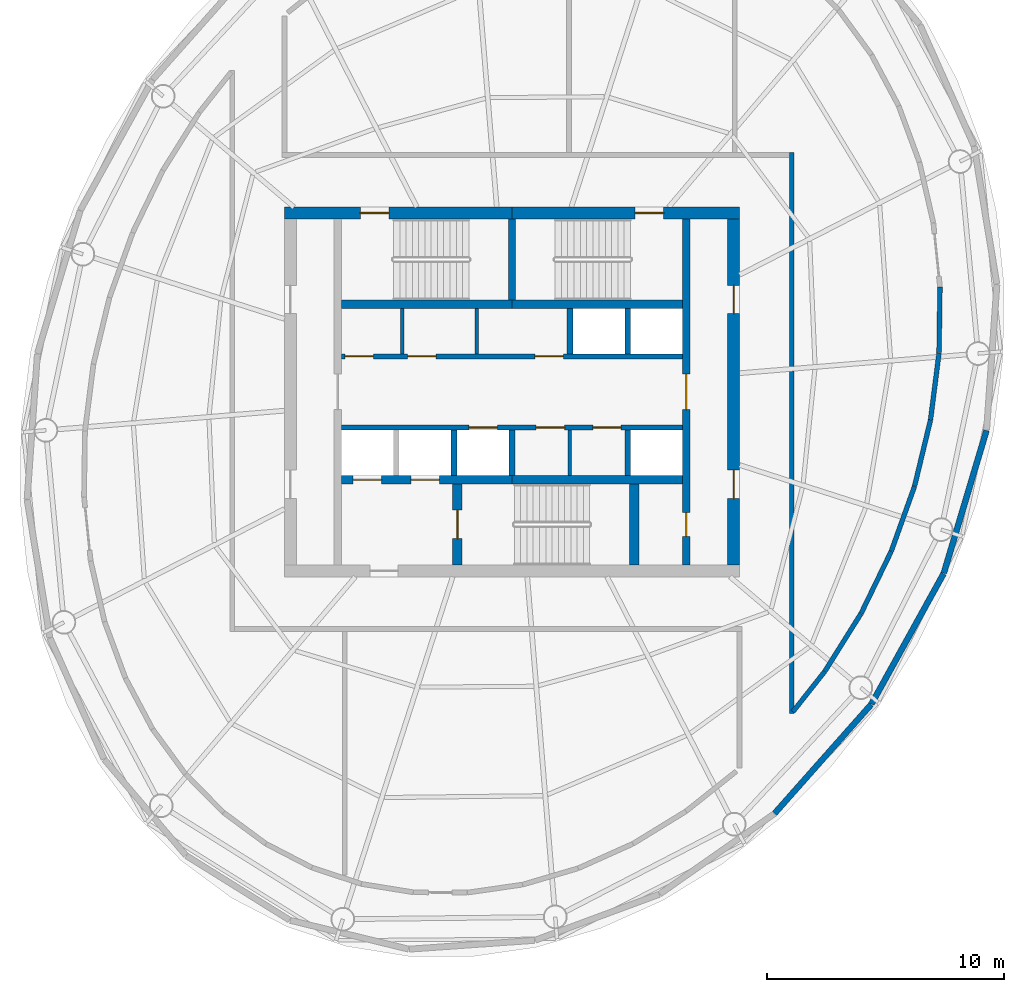
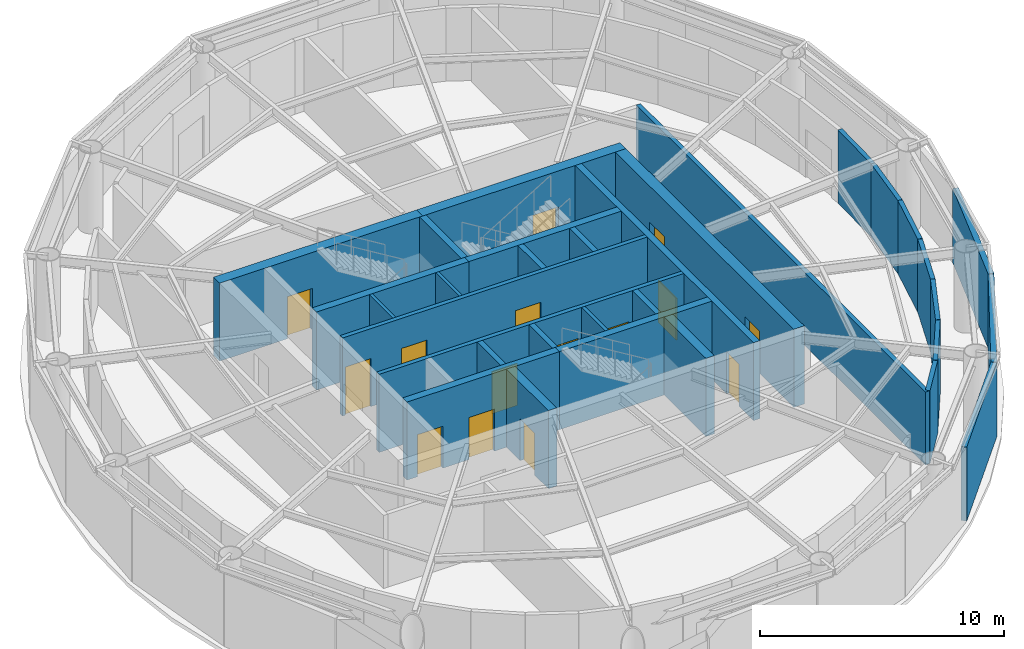
# One storey, part 4 of 6: 32 walls, 15 doors, 15 openings.
"""IFC4 building model written with IfcOpenShell, lengths in metres."""

from ifc_helpers import new_model, si_unit, direction, frame, frame_2d, origin, place, context, subcontext, project, spatial, rectangle, extrude, material, layer, layer_set, type_object, element, fill, save


model = new_model("IFC4")

# Units and contexts
model_context = context("Model", 3, precision=1e-05, world=origin(), true_north=direction((0.0, 1.0)))
body_context = subcontext(model_context, "Body", "Model", "MODEL_VIEW")
ifc_project = project(units=[si_unit("LENGTHUNIT", "METRE"), si_unit("AREAUNIT", "SQUARE_METRE"), si_unit("VOLUMEUNIT", "CUBIC_METRE"), si_unit("PLANEANGLEUNIT", "RADIAN"), si_unit("MASSUNIT", "GRAM", prefix="KILO")], contexts=[model_context])

# Site, building, storey
site_placement = place(None, origin())
site = spatial("IfcSite", under=ifc_project, at=site_placement, CompositionType="ELEMENT")
building_placement = place(site_placement, origin())
building = spatial("IfcBuilding", under=site, at=building_placement, Name="Vermilion Reach Broadcast Tower", CompositionType="ELEMENT")
storey_placement = place(building_placement, frame((0.0, 0.0, 304.5)))
storey = spatial("IfcBuildingStorey", under=building, at=storey_placement, Name="L76 CROWN", CompositionType="ELEMENT", Elevation=304.5)

# Wall, openings, doors
ifc_material_1 = material(Name="Concrete C50", Category="concrete")
ifc_layer_1 = layer(ifc_material_1, 0.300048828125)
ifc_layer_set_1 = layer_set([ifc_layer_1], Name="Core inner wall 300 mm Concrete C50")
wall_type_1 = type_object("IfcWallType", Name="Core inner wall 300 mm Concrete C50", PredefinedType="SHEAR", material=ifc_layer_set_1)
wall_1_placement = place(storey_placement, frame((1.35009765625, -7.300048828125, 0.0), z_axis=(0.0, 0.0, 1.0), x_axis=(0.0, 1.0, 0.0)))
wall_1 = element("IfcWall", 1, at=wall_1_placement, inside=storey, type_object=wall_type_1, Name="L76 CROWN core wall ewE", PredefinedType="SHEAR", context=body_context, shape_type="SweptSolid", body=[
    extrude(rectangle(XDim=14.60009765625, YDim=0.300048828125, at=frame_2d((7.300048828125, 0.0))), origin(), (0.0, 0.0, 1.0), 3.89990234375),
])
opening_1_placement = place(wall_1_placement, frame((1.2099609375, 0.0, 0.0)))
opening_1 = element("IfcOpeningElement", 2, at=opening_1_placement, cuts=wall_1, Name="Opening D05", PredefinedType="OPENING", context=body_context, shape_type="SweptSolid", body=[
    extrude(rectangle(XDim=1.0, YDim=2.10009765625, at=frame_2d((0.5, 1.050048828125))), frame((0.0, 0.159912109375, 0.0), z_axis=(0.0, -1.0, 0.0), x_axis=(1.0, 0.0, 0.0)), (0.0, 0.0, 1.0), 0.320068359375),
])
opening_2_placement = place(wall_1_placement, frame((6.550048828125, 0.0, 0.0)))
opening_2 = element("IfcOpeningElement", 3, at=opening_2_placement, cuts=wall_1, Name="Opening D04", PredefinedType="OPENING", context=body_context, shape_type="SweptSolid", body=[
    extrude(rectangle(XDim=1.5, YDim=2.10009765625, at=frame_2d((0.75, 1.050048828125))), frame((0.0, 0.159912109375, 0.0), z_axis=(0.0, -1.0, 0.0), x_axis=(1.0, 0.0, 0.0)), (0.0, 0.0, 1.0), 0.320068359375),
])
ifc_material_2 = material(Name="Painted steel fire door", Category="steel")
door_type_1 = type_object("IfcDoorType", Name="Lift lobby door 1500 x 2100", OperationType="DOUBLE_DOOR_SINGLE_SWING", PredefinedType="NOTDEFINED", material=ifc_material_2)
door_1_placement = place(opening_2_placement, origin())
door_1 = element("IfcDoor", 4, at=door_1_placement, inside=storey, type_object=door_type_1, Name="L76 CROWN band door BE", OperationType="DOUBLE_DOOR_SINGLE_SWING", OverallHeight=2.10009765625, OverallWidth=1.5, PredefinedType="NOTDEFINED", context=body_context, shape_type="SweptSolid", body=[
    extrude(rectangle(XDim=1.5, YDim=2.10009765625, at=frame_2d((0.75, 1.050048828125))), frame((0.0, 0.02490234375, 0.0), z_axis=(0.0, -1.0, 0.0), x_axis=(1.0, 0.0, 0.0)), (0.0, 0.0, 1.0), 0.050048828125),
])
fill(opening_2, door_1)
ifc_material_3 = material(Name="Timber door", Category="wood")
door_type_2 = type_object("IfcDoorType", Name="Room door 1000 x 2100", OperationType="NOTDEFINED", PredefinedType="NOTDEFINED", material=ifc_material_3)
door_2_placement = place(opening_1_placement, origin())
door_2 = element("IfcDoor", 5, at=door_2_placement, inside=storey, type_object=door_type_2, Name="L76 CROWN door SER", OperationType="SINGLE_SWING_LEFT", OverallHeight=2.10009765625, OverallWidth=1.0, PredefinedType="NOTDEFINED", context=body_context, shape_type="SweptSolid", body=[
    extrude(rectangle(XDim=1.0, YDim=2.10009765625, at=frame_2d((0.5, 1.050048828125))), frame((0.0, 0.02490234375, 0.0), z_axis=(0.0, -1.0, 0.0), x_axis=(1.0, 0.0, 0.0)), (0.0, 0.0, 1.0), 0.050048828125),
])
fill(opening_1, door_2)

# Walls
wall_2_placement = place(storey_placement, frame((-6.0, 3.8798828125, 0.0), z_axis=(0.0, 0.0, 1.0), x_axis=(0.0, 1.0, 0.0)))
element("IfcWall", 6, at=wall_2_placement, inside=storey, type_object=wall_type_1, Name="L76 CROWN core wall wc", PredefinedType="SHEAR", context=body_context, shape_type="SweptSolid", body=[
    extrude(rectangle(XDim=3.420166015625, YDim=0.300048828125, at=frame_2d((1.7099609375, 0.0))), origin(), (0.0, 0.0, 1.0), 3.89990234375),
])
ifc_material_4 = material(Name="Concrete C50", Category="concrete")
ifc_layer_2 = layer(ifc_material_4, 0.35009765625)
ifc_layer_set_2 = layer_set([ifc_layer_2], Name="Core inner wall 350 mm Concrete C50")
wall_type_2 = type_object("IfcWallType", Name="Core inner wall 350 mm Concrete C50", PredefinedType="SHEAR", material=ifc_layer_set_2)
for number, where, z_axis, x_axis, name in (
    (7, (-13.199951171875, 3.705078125, 0.0), (0.0, 0.0, 1.0), (1.0, 0.0, 0.0), "L76 CROWN core wall winW"),
    (8, (-6.0, 3.705078125, 0.0), (0.0, 0.0, 1.0), (1.0, 0.0, 0.0), "L76 CROWN core wall winE"),
):
    element("IfcWall", number, at=place(storey_placement, frame(where, z_axis=z_axis, x_axis=x_axis)), inside=storey, type_object=wall_type_2, Name=name, PredefinedType="SHEAR", context=body_context, shape_type="SweptSolid", body=[
        extrude(rectangle(XDim=7.199951171875, YDim=0.35009765625, at=frame_2d((3.60009765625, 0.0))), origin(), (0.0, 0.0, 1.0), 3.89990234375),
    ])

# Wall, openings, doors
wall_3_placement = place(storey_placement, frame((-13.199951171875, -3.705078125, 0.0), z_axis=(0.0, 0.0, 1.0), x_axis=(1.0, 0.0, 0.0)))
wall_3 = element("IfcWall", 9, at=wall_3_placement, inside=storey, type_object=wall_type_2, Name="L76 CROWN core wall wisW", PredefinedType="SHEAR", context=body_context, shape_type="SweptSolid", body=[
    extrude(rectangle(XDim=7.199951171875, YDim=0.35009765625, at=frame_2d((3.60009765625, 0.0))), origin(), (0.0, 0.0, 1.0), 3.89990234375),
])
opening_3_placement = place(wall_3_placement, frame((0.495849609375, 0.0, 0.0)))
opening_3 = element("IfcOpeningElement", 10, at=opening_3_placement, cuts=wall_3, Name="Opening LD1", PredefinedType="OPENING", context=body_context, shape_type="SweptSolid", body=[
    extrude(rectangle(XDim=1.199951171875, YDim=2.10009765625, at=frame_2d((0.60009765625, 1.050048828125))), frame((0.0, 0.18505859375, 0.0), z_axis=(0.0, -1.0, 0.0), x_axis=(1.0, 0.0, 0.0)), (0.0, 0.0, 1.0), 0.3701171875),
])
opening_4_placement = place(wall_3_placement, frame((2.9375, 0.0, 0.0)))
opening_4 = element("IfcOpeningElement", 11, at=opening_4_placement, cuts=wall_3, Name="Opening LD1", PredefinedType="OPENING", context=body_context, shape_type="SweptSolid", body=[
    extrude(rectangle(XDim=1.199951171875, YDim=2.10009765625, at=frame_2d((0.60009765625, 1.050048828125))), frame((0.0, 0.18505859375, 0.0), z_axis=(0.0, -1.0, 0.0), x_axis=(1.0, 0.0, 0.0)), (0.0, 0.0, 1.0), 0.3701171875),
])
ifc_material_5 = material(Name="Stainless steel", Category="steel")
door_type_3 = type_object("IfcDoorType", Name="Landing door 1200 x 2100", OperationType="DOUBLE_DOOR_SLIDING", PredefinedType="NOTDEFINED", material=ifc_material_5)
door_3_placement = place(opening_3_placement, origin())
door_3 = element("IfcDoor", 12, at=door_3_placement, inside=storey, type_object=door_type_3, Name="L76 CROWN landing door FF1", OperationType="DOUBLE_DOOR_SLIDING", OverallHeight=2.10009765625, OverallWidth=1.199951171875, PredefinedType="NOTDEFINED", context=body_context, shape_type="SweptSolid", body=[
    extrude(rectangle(XDim=1.199951171875, YDim=2.10009765625, at=frame_2d((0.60009765625, 1.050048828125))), frame((0.0, 0.02490234375, 0.0), z_axis=(0.0, -1.0, 0.0), x_axis=(1.0, 0.0, 0.0)), (0.0, 0.0, 1.0), 0.050048828125),
])
fill(opening_3, door_3)
door_4_placement = place(opening_4_placement, origin())
door_4 = element("IfcDoor", 13, at=door_4_placement, inside=storey, type_object=door_type_3, Name="L76 CROWN landing door FF2", OperationType="DOUBLE_DOOR_SLIDING", OverallHeight=2.10009765625, OverallWidth=1.199951171875, PredefinedType="NOTDEFINED", context=body_context, shape_type="SweptSolid", body=[
    extrude(rectangle(XDim=1.199951171875, YDim=2.10009765625, at=frame_2d((0.60009765625, 1.050048828125))), frame((0.0, 0.02490234375, 0.0), z_axis=(0.0, -1.0, 0.0), x_axis=(1.0, 0.0, 0.0)), (0.0, 0.0, 1.0), 0.050048828125),
])
fill(opening_4, door_4)

# Wall
wall_4_placement = place(storey_placement, frame((-6.0, -3.705078125, 0.0), z_axis=(0.0, 0.0, 1.0), x_axis=(1.0, 0.0, 0.0)))
element("IfcWall", 14, at=wall_4_placement, inside=storey, type_object=wall_type_2, Name="L76 CROWN core wall wisE", PredefinedType="SHEAR", context=body_context, shape_type="SweptSolid", body=[
    extrude(rectangle(XDim=7.199951171875, YDim=0.35009765625, at=frame_2d((3.60009765625, 0.0))), origin(), (0.0, 0.0, 1.0), 3.89990234375),
])

# Wall, opening, door
ifc_material_6 = material(Name="Concrete C50", Category="concrete")
ifc_layer_3 = layer(ifc_material_6, 0.39990234375)
ifc_layer_set_3 = layer_set([ifc_layer_3], Name="Core inner wall 400 mm Concrete C50")
wall_type_3 = type_object("IfcWallType", Name="Core inner wall 400 mm Concrete C50", PredefinedType="SHEAR", material=ifc_layer_set_3)
wall_5_placement = place(storey_placement, frame((-8.300048828125, -3.8798828125, 0.0), z_axis=(0.0, 0.0, 1.0), x_axis=(0.0, -1.0, 0.0)))
wall_5 = element("IfcWall", 15, at=wall_5_placement, inside=storey, type_object=wall_type_3, Name="L76 CROWN core wall wa", PredefinedType="SHEAR", context=body_context, shape_type="SweptSolid", body=[
    extrude(rectangle(XDim=3.420166015625, YDim=0.39990234375, at=frame_2d((1.7099609375, 0.0))), origin(), (0.0, 0.0, 1.0), 3.89990234375),
])
opening_5_placement = place(wall_5_placement, frame((1.110107421875, 0.0, 0.0)))
opening_5 = element("IfcOpeningElement", 16, at=opening_5_placement, cuts=wall_5, Name="Opening D01", PredefinedType="OPENING", context=body_context, shape_type="SweptSolid", body=[
    extrude(rectangle(XDim=1.199951171875, YDim=2.10009765625, at=frame_2d((0.60009765625, 1.050048828125))), frame((0.0, 0.2099609375, 0.0), z_axis=(0.0, -1.0, 0.0), x_axis=(1.0, 0.0, 0.0)), (0.0, 0.0, 1.0), 0.419921875),
])
ifc_material_7 = material(Name="Painted steel fire door", Category="steel")
door_type_4 = type_object("IfcDoorType", Name="Stair door 1200 x 2100", OperationType="DOUBLE_DOOR_SINGLE_SWING", PredefinedType="NOTDEFINED", material=ifc_material_7)
door_5_placement = place(opening_5_placement, origin())
door_5 = element("IfcDoor", 17, at=door_5_placement, inside=storey, type_object=door_type_4, Name="L76 CROWN stair door ST3", OperationType="DOUBLE_DOOR_SINGLE_SWING", OverallHeight=2.10009765625, OverallWidth=1.199951171875, PredefinedType="NOTDEFINED", context=body_context, shape_type="SweptSolid", body=[
    extrude(rectangle(XDim=1.199951171875, YDim=2.10009765625, at=frame_2d((0.60009765625, 1.050048828125))), frame((0.0, 0.02490234375, 0.0), z_axis=(0.0, -1.0, 0.0), x_axis=(1.0, 0.0, 0.0)), (0.0, 0.0, 1.0), 0.050048828125),
])
fill(opening_5, door_5)

# Wall
wall_6_placement = place(storey_placement, frame((-0.85009765625, -3.8798828125, 0.0), z_axis=(0.0, 0.0, 1.0), x_axis=(0.0, -1.0, 0.0)))
element("IfcWall", 18, at=wall_6_placement, inside=storey, type_object=wall_type_3, Name="L76 CROWN core wall wb", PredefinedType="SHEAR", context=body_context, shape_type="SweptSolid", body=[
    extrude(rectangle(XDim=3.420166015625, YDim=0.39990234375, at=frame_2d((1.7099609375, 0.0))), origin(), (0.0, 0.0, 1.0), 3.89990234375),
])

# Wall, opening, door
ifc_material_8 = material(Name="Concrete C50", Category="concrete")
ifc_layer_4 = layer(ifc_material_8, 0.5)
ifc_layer_set_4 = layer_set([ifc_layer_4], Name="Core outer wall 500 mm Concrete C50")
wall_type_4 = type_object("IfcWallType", Name="Core outer wall 500 mm Concrete C50", PredefinedType="SHEAR", material=ifc_layer_set_4)
wall_7_placement = place(storey_placement, frame((3.60009765625, 7.550048828125, 0.0), z_axis=(0.0, 0.0, 1.0), x_axis=(-1.0, 0.0, 0.0)))
wall_7 = element("IfcWall", 19, at=wall_7_placement, inside=storey, type_object=wall_type_4, Name="L76 CROWN core wall onE", PredefinedType="SHEAR", context=body_context, shape_type="SweptSolid", body=[
    extrude(rectangle(XDim=9.60009765625, YDim=0.5, at=frame_2d((4.800048828125, 0.0))), origin(), (0.0, 0.0, 1.0), 3.89990234375),
])
opening_6_placement = place(wall_7_placement, frame((3.199951171875, 0.0, 0.0)))
opening_6 = element("IfcOpeningElement", 20, at=opening_6_placement, cuts=wall_7, Name="Opening D01", PredefinedType="OPENING", context=body_context, shape_type="SweptSolid", body=[
    extrude(rectangle(XDim=1.199951171875, YDim=2.10009765625, at=frame_2d((0.60009765625, 1.050048828125))), frame((0.0, 0.260009765625, 0.0), z_axis=(0.0, -1.0, 0.0), x_axis=(1.0, 0.0, 0.0)), (0.0, 0.0, 1.0), 0.52001953125),
])
door_6_placement = place(opening_6_placement, origin())
door_6 = element("IfcDoor", 21, at=door_6_placement, inside=storey, type_object=door_type_4, Name="L76 CROWN stair door ST2", OperationType="DOUBLE_DOOR_SINGLE_SWING", OverallHeight=2.10009765625, OverallWidth=1.199951171875, PredefinedType="NOTDEFINED", context=body_context, shape_type="SweptSolid", body=[
    extrude(rectangle(XDim=1.199951171875, YDim=2.10009765625, at=frame_2d((0.60009765625, 1.050048828125))), frame((0.0, 0.02490234375, 0.0), z_axis=(0.0, -1.0, 0.0), x_axis=(1.0, 0.0, 0.0)), (0.0, 0.0, 1.0), 0.050048828125),
])
fill(opening_6, door_6)

wall_8_placement = place(storey_placement, frame((-6.0, 7.550048828125, 0.0), z_axis=(0.0, 0.0, 1.0), x_axis=(-1.0, 0.0, 0.0)))
wall_8 = element("IfcWall", 22, at=wall_8_placement, inside=storey, type_object=wall_type_4, Name="L76 CROWN core wall onW", PredefinedType="SHEAR", context=body_context, shape_type="SweptSolid", body=[
    extrude(rectangle(XDim=9.60009765625, YDim=0.5, at=frame_2d((4.800048828125, 0.0))), origin(), (0.0, 0.0, 1.0), 3.89990234375),
])
opening_7_placement = place(wall_8_placement, frame((5.199951171875, 0.0, 0.0)))
opening_7 = element("IfcOpeningElement", 23, at=opening_7_placement, cuts=wall_8, Name="Opening D01", PredefinedType="OPENING", context=body_context, shape_type="SweptSolid", body=[
    extrude(rectangle(XDim=1.199951171875, YDim=2.10009765625, at=frame_2d((0.60009765625, 1.050048828125))), frame((0.0, 0.260009765625, 0.0), z_axis=(0.0, -1.0, 0.0), x_axis=(1.0, 0.0, 0.0)), (0.0, 0.0, 1.0), 0.52001953125),
])
door_7_placement = place(opening_7_placement, origin())
door_7 = element("IfcDoor", 24, at=door_7_placement, inside=storey, type_object=door_type_4, Name="L76 CROWN stair door ST1", OperationType="DOUBLE_DOOR_SINGLE_SWING", OverallHeight=2.10009765625, OverallWidth=1.199951171875, PredefinedType="NOTDEFINED", context=body_context, shape_type="SweptSolid", body=[
    extrude(rectangle(XDim=1.199951171875, YDim=2.10009765625, at=frame_2d((0.60009765625, 1.050048828125))), frame((0.0, 0.02490234375, 0.0), z_axis=(0.0, -1.0, 0.0), x_axis=(1.0, 0.0, 0.0)), (0.0, 0.0, 1.0), 0.050048828125),
])
fill(opening_7, door_7)

# Wall, openings, doors
wall_9_placement = place(storey_placement, frame((3.35009765625, -7.300048828125, 0.0), z_axis=(0.0, 0.0, 1.0), x_axis=(0.0, 1.0, 0.0)))
wall_9 = element("IfcWall", 25, at=wall_9_placement, inside=storey, type_object=wall_type_4, Name="L76 CROWN core wall oe", PredefinedType="SHEAR", context=body_context, shape_type="SweptSolid", body=[
    extrude(rectangle(XDim=14.60009765625, YDim=0.5, at=frame_2d((7.300048828125, 0.0))), origin(), (0.0, 0.0, 1.0), 3.89990234375),
])
opening_8_placement = place(wall_9_placement, frame((2.800048828125, 0.0, 0.0)))
opening_8 = element("IfcOpeningElement", 26, at=opening_8_placement, cuts=wall_9, Name="Opening D03", PredefinedType="OPENING", context=body_context, shape_type="SweptSolid", body=[
    extrude(rectangle(XDim=1.199951171875, YDim=2.10009765625, at=frame_2d((0.60009765625, 1.050048828125))), frame((0.0, 0.260009765625, 0.0), z_axis=(0.0, -1.0, 0.0), x_axis=(1.0, 0.0, 0.0)), (0.0, 0.0, 1.0), 0.52001953125),
])
opening_9_placement = place(wall_9_placement, frame((10.60009765625, 0.0, 0.0)))
opening_9 = element("IfcOpeningElement", 27, at=opening_9_placement, cuts=wall_9, Name="Opening D03", PredefinedType="OPENING", context=body_context, shape_type="SweptSolid", body=[
    extrude(rectangle(XDim=1.199951171875, YDim=2.10009765625, at=frame_2d((0.60009765625, 1.050048828125))), frame((0.0, 0.260009765625, 0.0), z_axis=(0.0, -1.0, 0.0), x_axis=(1.0, 0.0, 0.0)), (0.0, 0.0, 1.0), 0.52001953125),
])
ifc_material_9 = material(Name="Painted steel fire door", Category="steel")
door_type_5 = type_object("IfcDoorType", Name="Core lobby door 1200 x 2100", OperationType="DOUBLE_DOOR_SINGLE_SWING", PredefinedType="NOTDEFINED", material=ifc_material_9)
door_8_placement = place(opening_8_placement, origin())
door_8 = element("IfcDoor", 28, at=door_8_placement, inside=storey, type_object=door_type_5, Name="L76 CROWN slot door E0", OperationType="DOUBLE_DOOR_SINGLE_SWING", OverallHeight=2.10009765625, OverallWidth=1.199951171875, PredefinedType="NOTDEFINED", context=body_context, shape_type="SweptSolid", body=[
    extrude(rectangle(XDim=1.199951171875, YDim=2.10009765625, at=frame_2d((0.60009765625, 1.050048828125))), frame((0.0, 0.02490234375, 0.0), z_axis=(0.0, -1.0, 0.0), x_axis=(1.0, 0.0, 0.0)), (0.0, 0.0, 1.0), 0.050048828125),
])
fill(opening_8, door_8)
door_9_placement = place(opening_9_placement, origin())
door_9 = element("IfcDoor", 29, at=door_9_placement, inside=storey, type_object=door_type_5, Name="L76 CROWN slot door E1", OperationType="DOUBLE_DOOR_SINGLE_SWING", OverallHeight=2.10009765625, OverallWidth=1.199951171875, PredefinedType="NOTDEFINED", context=body_context, shape_type="SweptSolid", body=[
    extrude(rectangle(XDim=1.199951171875, YDim=2.10009765625, at=frame_2d((0.60009765625, 1.050048828125))), frame((0.0, 0.02490234375, 0.0), z_axis=(0.0, -1.0, 0.0), x_axis=(1.0, 0.0, 0.0)), (0.0, 0.0, 1.0), 0.050048828125),
])
fill(opening_9, door_9)

# Walls
ifc_material_10 = material(Name="Masonry block", Category="masonry")
ifc_layer_5 = layer(ifc_material_10, 0.14990234375)
ifc_layer_set_5 = layer_set([ifc_layer_5], Name="Core partition wall 150 mm Masonry block")
wall_type_5 = type_object("IfcWallType", Name="Core partition wall 150 mm Masonry block", PredefinedType="PARTITIONING", material=ifc_layer_set_5)
for number, where, z_axis, x_axis, name in (
    (30, (-10.630615234375, 1.60009765625, 0.0), (0.0, 0.0, 1.0), (0.0, 1.0, 0.0), "L76 CROWN core wall prN-4630"),
    (31, (-7.489990234375, 1.60009765625, 0.0), (0.0, 0.0, 1.0), (0.0, 1.0, 0.0), "L76 CROWN core wall prN-1490"),
    (32, (-3.558349609375, -1.60009765625, 0.0), (0.0, 0.0, 1.0), (0.0, -1.0, 0.0), "L76 CROWN core wall prS2442"),
):
    element("IfcWall", number, at=place(storey_placement, frame(where, z_axis=z_axis, x_axis=x_axis)), inside=storey, type_object=wall_type_5, Name=name, PredefinedType="PARTITIONING", context=body_context, shape_type="SweptSolid", body=[
        extrude(rectangle(XDim=1.929931640625, YDim=0.14990234375, at=frame_2d((0.96484375, 0.0))), origin(), (0.0, 0.0, 1.0), 3.89990234375),
    ])

# Wall, openings, doors
ifc_material_11 = material(Name="Concrete C50", Category="concrete")
ifc_layer_6 = layer(ifc_material_11, 0.199951171875)
ifc_layer_set_6 = layer_set([ifc_layer_6], Name="Core shaft wall 200 mm Concrete C50")
wall_type_6 = type_object("IfcWallType", Name="Core shaft wall 200 mm Concrete C50", PredefinedType="SHEAR", material=ifc_layer_set_6)
wall_10_placement = place(storey_placement, frame((-13.199951171875, 1.5, 0.0), z_axis=(0.0, 0.0, 1.0), x_axis=(1.0, 0.0, 0.0)))
wall_10 = element("IfcWall", 33, at=wall_10_placement, inside=storey, type_object=wall_type_6, Name="L76 CROWN core wall fn", PredefinedType="SHEAR", context=body_context, shape_type="SweptSolid", body=[
    extrude(rectangle(XDim=14.39990234375, YDim=0.199951171875, at=frame_2d((7.199951171875, 0.0))), origin(), (0.0, 0.0, 1.0), 3.89990234375),
])
opening_10_placement = place(wall_10_placement, frame((0.14990234375, 0.0, 0.0)))
opening_10 = element("IfcOpeningElement", 34, at=opening_10_placement, cuts=wall_10, Name="Opening D09", PredefinedType="OPENING", context=body_context, shape_type="SweptSolid", body=[
    extrude(rectangle(XDim=1.199951171875, YDim=2.39990234375, at=frame_2d((0.60009765625, 1.199951171875))), frame((0.0, 0.10986328125, 0.0), z_axis=(0.0, -1.0, 0.0), x_axis=(1.0, 0.0, 0.0)), (0.0, 0.0, 1.0), 0.219970703125),
])
opening_11_placement = place(wall_10_placement, frame((2.79443359375, 0.0, 0.0)))
opening_11 = element("IfcOpeningElement", 35, at=opening_11_placement, cuts=wall_10, Name="Opening D09", PredefinedType="OPENING", context=body_context, shape_type="SweptSolid", body=[
    extrude(rectangle(XDim=1.199951171875, YDim=2.39990234375, at=frame_2d((0.60009765625, 1.199951171875))), frame((0.0, 0.10986328125, 0.0), z_axis=(0.0, -1.0, 0.0), x_axis=(1.0, 0.0, 0.0)), (0.0, 0.0, 1.0), 0.219970703125),
])
opening_12_placement = place(wall_10_placement, frame((8.166748046875, 0.0, 0.0)))
opening_12 = element("IfcOpeningElement", 36, at=opening_12_placement, cuts=wall_10, Name="Opening D09", PredefinedType="OPENING", context=body_context, shape_type="SweptSolid", body=[
    extrude(rectangle(XDim=1.199951171875, YDim=2.39990234375, at=frame_2d((0.60009765625, 1.199951171875))), frame((0.0, 0.10986328125, 0.0), z_axis=(0.0, -1.0, 0.0), x_axis=(1.0, 0.0, 0.0)), (0.0, 0.0, 1.0), 0.219970703125),
])
ifc_material_12 = material(Name="Painted steel fire door", Category="steel")
door_type_6 = type_object("IfcDoorType", Name="Plant room door 1200 x 2400", OperationType="DOUBLE_DOOR_SINGLE_SWING", PredefinedType="NOTDEFINED", material=ifc_material_12)
door_10_placement = place(opening_10_placement, origin())
door_10 = element("IfcDoor", 37, at=door_10_placement, inside=storey, type_object=door_type_6, Name="L76 CROWN door Lift machine room", OperationType="DOUBLE_DOOR_SINGLE_SWING", OverallHeight=2.39990234375, OverallWidth=1.199951171875, PredefinedType="NOTDEFINED", context=body_context, shape_type="SweptSolid", body=[
    extrude(rectangle(XDim=1.199951171875, YDim=2.39990234375, at=frame_2d((0.60009765625, 1.199951171875))), frame((0.0, 0.02490234375, 0.0), z_axis=(0.0, -1.0, 0.0), x_axis=(1.0, 0.0, 0.0)), (0.0, 0.0, 1.0), 0.050048828125),
])
fill(opening_10, door_10)
door_11_placement = place(opening_11_placement, origin())
door_11 = element("IfcDoor", 38, at=door_11_placement, inside=storey, type_object=door_type_6, Name="L76 CROWN door Lift machine room", OperationType="DOUBLE_DOOR_SINGLE_SWING", OverallHeight=2.39990234375, OverallWidth=1.199951171875, PredefinedType="NOTDEFINED", context=body_context, shape_type="SweptSolid", body=[
    extrude(rectangle(XDim=1.199951171875, YDim=2.39990234375, at=frame_2d((0.60009765625, 1.199951171875))), frame((0.0, 0.02490234375, 0.0), z_axis=(0.0, -1.0, 0.0), x_axis=(1.0, 0.0, 0.0)), (0.0, 0.0, 1.0), 0.050048828125),
])
fill(opening_11, door_11)
door_12_placement = place(opening_12_placement, origin())
door_12 = element("IfcDoor", 39, at=door_12_placement, inside=storey, type_object=door_type_6, Name="L76 CROWN door Lift machine room", OperationType="DOUBLE_DOOR_SINGLE_SWING", OverallHeight=2.39990234375, OverallWidth=1.199951171875, PredefinedType="NOTDEFINED", context=body_context, shape_type="SweptSolid", body=[
    extrude(rectangle(XDim=1.199951171875, YDim=2.39990234375, at=frame_2d((0.60009765625, 1.199951171875))), frame((0.0, 0.02490234375, 0.0), z_axis=(0.0, -1.0, 0.0), x_axis=(1.0, 0.0, 0.0)), (0.0, 0.0, 1.0), 0.050048828125),
])
fill(opening_12, door_12)

wall_11_placement = place(storey_placement, frame((1.199951171875, -1.5, 0.0), z_axis=(0.0, 0.0, 1.0), x_axis=(-1.0, 0.0, 0.0)))
wall_11 = element("IfcWall", 40, at=wall_11_placement, inside=storey, type_object=wall_type_6, Name="L76 CROWN core wall fs", PredefinedType="SHEAR", context=body_context, shape_type="SweptSolid", body=[
    extrude(rectangle(XDim=14.39990234375, YDim=0.199951171875, at=frame_2d((7.199951171875, 0.0))), origin(), (0.0, 0.0, 1.0), 3.89990234375),
])
opening_13_placement = place(wall_11_placement, frame((7.82080078125, 0.0, 0.0)))
opening_13 = element("IfcOpeningElement", 41, at=opening_13_placement, cuts=wall_11, Name="Opening LD1", PredefinedType="OPENING", context=body_context, shape_type="SweptSolid", body=[
    extrude(rectangle(XDim=1.199951171875, YDim=2.10009765625, at=frame_2d((0.60009765625, 1.050048828125))), frame((0.0, 0.10986328125, 0.0), z_axis=(0.0, -1.0, 0.0), x_axis=(1.0, 0.0, 0.0)), (0.0, 0.0, 1.0), 0.219970703125),
])
opening_14_placement = place(wall_11_placement, frame((4.9833984375, 0.0, 0.0)))
opening_14 = element("IfcOpeningElement", 42, at=opening_14_placement, cuts=wall_11, Name="Opening D09", PredefinedType="OPENING", context=body_context, shape_type="SweptSolid", body=[
    extrude(rectangle(XDim=1.199951171875, YDim=2.39990234375, at=frame_2d((0.60009765625, 1.199951171875))), frame((0.0, 0.10986328125, 0.0), z_axis=(0.0, -1.0, 0.0), x_axis=(1.0, 0.0, 0.0)), (0.0, 0.0, 1.0), 0.219970703125),
])
opening_15_placement = place(wall_11_placement, frame((2.591552734375, 0.0, 0.0)))
opening_15 = element("IfcOpeningElement", 43, at=opening_15_placement, cuts=wall_11, Name="Opening D09", PredefinedType="OPENING", context=body_context, shape_type="SweptSolid", body=[
    extrude(rectangle(XDim=1.199951171875, YDim=2.39990234375, at=frame_2d((0.60009765625, 1.199951171875))), frame((0.0, 0.10986328125, 0.0), z_axis=(0.0, -1.0, 0.0), x_axis=(1.0, 0.0, 0.0)), (0.0, 0.0, 1.0), 0.219970703125),
])
door_13_placement = place(opening_13_placement, origin())
door_13 = element("IfcDoor", 44, at=door_13_placement, inside=storey, type_object=door_type_3, Name="L76 CROWN landing door SV1", OperationType="DOUBLE_DOOR_SLIDING", OverallHeight=2.10009765625, OverallWidth=1.199951171875, PredefinedType="NOTDEFINED", context=body_context, shape_type="SweptSolid", body=[
    extrude(rectangle(XDim=1.199951171875, YDim=2.10009765625, at=frame_2d((0.60009765625, 1.050048828125))), frame((0.0, 0.02490234375, 0.0), z_axis=(0.0, -1.0, 0.0), x_axis=(1.0, 0.0, 0.0)), (0.0, 0.0, 1.0), 0.050048828125),
])
fill(opening_13, door_13)
door_14_placement = place(opening_14_placement, origin())
door_14 = element("IfcDoor", 45, at=door_14_placement, inside=storey, type_object=door_type_6, Name="L76 CROWN door Lift machine room", OperationType="DOUBLE_DOOR_SINGLE_SWING", OverallHeight=2.39990234375, OverallWidth=1.199951171875, PredefinedType="NOTDEFINED", context=body_context, shape_type="SweptSolid", body=[
    extrude(rectangle(XDim=1.199951171875, YDim=2.39990234375, at=frame_2d((0.60009765625, 1.199951171875))), frame((0.0, 0.02490234375, 0.0), z_axis=(0.0, -1.0, 0.0), x_axis=(1.0, 0.0, 0.0)), (0.0, 0.0, 1.0), 0.050048828125),
])
fill(opening_14, door_14)
door_15_placement = place(opening_15_placement, origin())
door_15 = element("IfcDoor", 46, at=door_15_placement, inside=storey, type_object=door_type_6, Name="L76 CROWN door Lift machine room", OperationType="DOUBLE_DOOR_SINGLE_SWING", OverallHeight=2.39990234375, OverallWidth=1.199951171875, PredefinedType="NOTDEFINED", context=body_context, shape_type="SweptSolid", body=[
    extrude(rectangle(XDim=1.199951171875, YDim=2.39990234375, at=frame_2d((0.60009765625, 1.199951171875))), frame((0.0, 0.02490234375, 0.0), z_axis=(0.0, -1.0, 0.0), x_axis=(1.0, 0.0, 0.0)), (0.0, 0.0, 1.0), 0.050048828125),
])
fill(opening_15, door_15)

# Walls
ifc_material_13 = material(Name="Concrete C50", Category="concrete")
ifc_layer_7 = layer(ifc_material_13, 0.25)
ifc_layer_set_7 = layer_set([ifc_layer_7], Name="Core shaft wall 250 mm Concrete C50")
wall_type_7 = type_object("IfcWallType", Name="Core shaft wall 250 mm Concrete C50", PredefinedType="SHEAR", material=ifc_layer_set_7)
for number, where, z_axis, x_axis, name in (
    (47, (-3.558349609375, 1.60009765625, 0.0), (0.0, 0.0, 1.0), (0.0, 1.0, 0.0), "L76 CROWN core wall psN3"),
    (48, (-1.11669921875, 1.60009765625, 0.0), (0.0, 0.0, 1.0), (0.0, 1.0, 0.0), "L76 CROWN core wall psN4"),
    (49, (-8.441650390625, -1.60009765625, 0.0), (0.0, 0.0, 1.0), (0.0, -1.0, 0.0), "L76 CROWN core wall psS1"),
    (50, (-6.0, -1.60009765625, 0.0), (0.0, 0.0, 1.0), (0.0, -1.0, 0.0), "L76 CROWN core wall psS2"),
    (51, (-1.11669921875, -1.60009765625, 0.0), (0.0, 0.0, 1.0), (0.0, -1.0, 0.0), "L76 CROWN core wall psS4"),
):
    element("IfcWall", number, at=place(storey_placement, frame(where, z_axis=z_axis, x_axis=x_axis)), inside=storey, type_object=wall_type_7, Name=name, PredefinedType="SHEAR", context=body_context, shape_type="SweptSolid", body=[
        extrude(rectangle(XDim=1.929931640625, YDim=0.25, at=frame_2d((0.96484375, 0.0))), origin(), (0.0, 0.0, 1.0), 3.89990234375),
    ])
ifc_material_14 = material(Name="Anodised aluminium louvre cladding", Category="aluminium")
ifc_layer_8 = layer(ifc_material_14, 0.25)
ifc_layer_set_8 = layer_set([ifc_layer_8], Name="Plant louvre wall 250, head 300 below soffit")
wall_type_8 = type_object("IfcWallType", Name="Plant louvre wall 250, head 300 below soffit", PredefinedType="SOLIDWALL", material=ifc_layer_set_8)
wall_12_placement = place(storey_placement, frame((5.081298828125, -17.781494140625, 0.0), z_axis=(0.0, 0.0, 1.0), x_axis=(0.663232601491, 0.748413332537, 0.0)))
element("IfcWall", 52, at=wall_12_placement, inside=storey, type_object=wall_type_8, Name="Louvre wall L76 CROWN 17", PredefinedType="SOLIDWALL", context=body_context, shape_type="SweptSolid", body=[
    extrude(rectangle(XDim=6.139404296875, YDim=0.25, at=frame_2d((3.06982421875, 0.0))), origin(), (0.0, 0.0, 1.0), 3.699951171875),
])
for number, where, z_axis, x_axis, name in (
    (53, (9.168701171875, -13.164794921875, 0.0), (0.0, 0.0, 1.0), (0.484124074201, 0.874999360445, 0.0), "Louvre wall L76 CROWN 18"),
    (54, (12.2197265625, -7.64453125, 0.0), (0.0, 0.0, 1.0), (0.286431283473, 0.958100787938, 0.0), "Louvre wall L76 CROWN 19"),
):
    element("IfcWall", number, at=place(storey_placement, frame(where, z_axis=z_axis, x_axis=x_axis)), inside=storey, type_object=wall_type_8, Name=name, PredefinedType="SOLIDWALL", context=body_context, shape_type="SweptSolid", body=[
        extrude(rectangle(XDim=6.281005859375, YDim=0.25, at=frame_2d((3.140625, 0.0))), origin(), (0.0, 0.0, 1.0), 3.699951171875),
    ])
ifc_material_15 = material(Name="Gypsum board shaft wall")
ifc_layer_9 = layer(ifc_material_15, 0.199951171875)
ifc_layer_set_9 = layer_set([ifc_layer_9], Name="Plant room wall 200")
wall_type_9 = type_object("IfcWallType", Name="Plant room wall 200", PredefinedType="PARTITIONING", material=ifc_layer_set_9)
wall_13_placement = place(storey_placement, frame((5.800048828125, -13.5576171875, 0.0), z_axis=(0.0, 0.0, 1.0), x_axis=(0.0, 1.0, 0.0)))
element("IfcWall", 55, at=wall_13_placement, inside=storey, type_object=wall_type_9, Name="sp.wall.L76 CROWN.001", PredefinedType="PARTITIONING", context=body_context, shape_type="SweptSolid", body=[
    extrude(rectangle(XDim=23.65771484375, YDim=0.199951171875, at=frame_2d((11.828857421875, 0.0))), origin(), (0.0, 0.0, 1.0), 3.64990234375),
])
wall_14_placement = place(storey_placement, frame((12.017822265625, 1.655517578125, 0.0), z_axis=(0.0, 0.0, 1.0), x_axis=(0.013897320686, 0.999903427576, 0.0)))
element("IfcWall", 56, at=wall_14_placement, inside=storey, type_object=wall_type_9, Name="sp.wall.L76 CROWN.022", PredefinedType="PARTITIONING", context=body_context, shape_type="SweptSolid", body=[
    extrude(rectangle(XDim=2.775634765625, YDim=0.199951171875, at=frame_2d((1.3876953125, 0.0))), origin(), (0.0, 0.0, 1.0), 3.64990234375),
])
wall_15_placement = place(storey_placement, frame((11.659423828125, -1.1689453125, 0.0), z_axis=(0.0, 0.0, 1.0), x_axis=(0.126302032537, 0.991991832919, 0.0)))
element("IfcWall", 57, at=wall_15_placement, inside=storey, type_object=wall_type_9, Name="sp.wall.L76 CROWN.023", PredefinedType="PARTITIONING", context=body_context, shape_type="SweptSolid", body=[
    extrude(rectangle(XDim=2.835693359375, YDim=0.199951171875, at=frame_2d((1.41796875, 0.0))), origin(), (0.0, 0.0, 1.0), 3.64990234375),
])
wall_16_placement = place(storey_placement, frame((10.984375, -3.976806640625, 0.0), z_axis=(0.0, 0.0, 1.0), x_axis=(0.234120678443, 0.972207543648, 0.0)))
element("IfcWall", 58, at=wall_16_placement, inside=storey, type_object=wall_type_9, Name="sp.wall.L76 CROWN.024", PredefinedType="PARTITIONING", context=body_context, shape_type="SweptSolid", body=[
    extrude(rectangle(XDim=2.877197265625, YDim=0.199951171875, at=frame_2d((1.4384765625, 0.0))), origin(), (0.0, 0.0, 1.0), 3.64990234375),
])
wall_17_placement = place(storey_placement, frame((10.003662109375, -6.715576171875, 0.0), z_axis=(0.0, 0.0, 1.0), x_axis=(0.337478197562, 0.941333344873, 0.0)))
element("IfcWall", 59, at=wall_17_placement, inside=storey, type_object=wall_type_9, Name="sp.wall.L76 CROWN.025", PredefinedType="PARTITIONING", context=body_context, shape_type="SweptSolid", body=[
    extrude(rectangle(XDim=2.89794921875, YDim=0.199951171875, at=frame_2d((1.448974609375, 0.0))), origin(), (0.0, 0.0, 1.0), 3.64990234375),
])
wall_18_placement = place(storey_placement, frame((8.73046875, -9.34326171875, 0.0), z_axis=(0.0, 0.0, 1.0), x_axis=(0.436405284506, 0.89975020292, 0.0)))
element("IfcWall", 60, at=wall_18_placement, inside=storey, type_object=wall_type_9, Name="sp.wall.L76 CROWN.026", PredefinedType="PARTITIONING", context=body_context, shape_type="SweptSolid", body=[
    extrude(rectangle(XDim=2.9091796875, YDim=0.199951171875, at=frame_2d((1.45458984375, 0.0))), origin(), (0.0, 0.0, 1.0), 3.64990234375),
])
wall_19_placement = place(storey_placement, frame((7.197509765625, -11.790771484375, 0.0), z_axis=(0.0, 0.0, 1.0), x_axis=(0.530761457751, 0.847521253401, 0.0)))
element("IfcWall", 61, at=wall_19_placement, inside=storey, type_object=wall_type_9, Name="sp.wall.L76 CROWN.027", PredefinedType="PARTITIONING", context=body_context, shape_type="SweptSolid", body=[
    extrude(rectangle(XDim=2.877197265625, YDim=0.199951171875, at=frame_2d((1.4384765625, 0.0))), origin(), (0.0, 0.0, 1.0), 3.64990234375),
])
wall_20_placement = place(storey_placement, frame((5.84912109375, -13.49560546875, 0.0), z_axis=(0.0, 0.0, 1.0), x_axis=(0.620321195124, 0.784347891487, 0.0)))
element("IfcWall", 62, at=wall_20_placement, inside=storey, type_object=wall_type_9, Name="sp.wall.L76 CROWN.028", PredefinedType="PARTITIONING", context=body_context, shape_type="SweptSolid", body=[
    extrude(rectangle(XDim=2.16259765625, YDim=0.199951171875, at=frame_2d((1.081298828125, 0.0))), origin(), (0.0, 0.0, 1.0), 3.64990234375),
])

save(model, "model.ifc")
